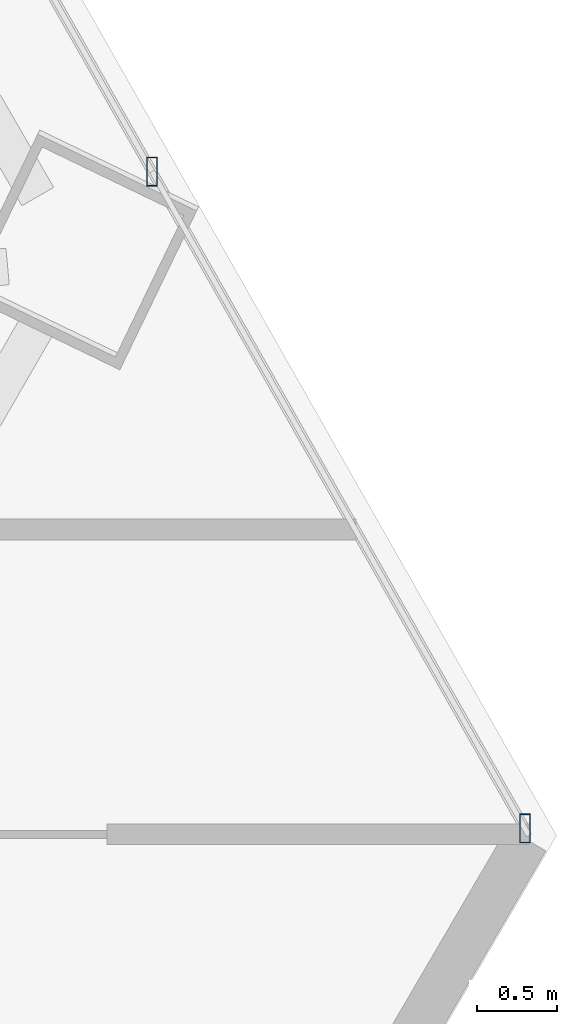
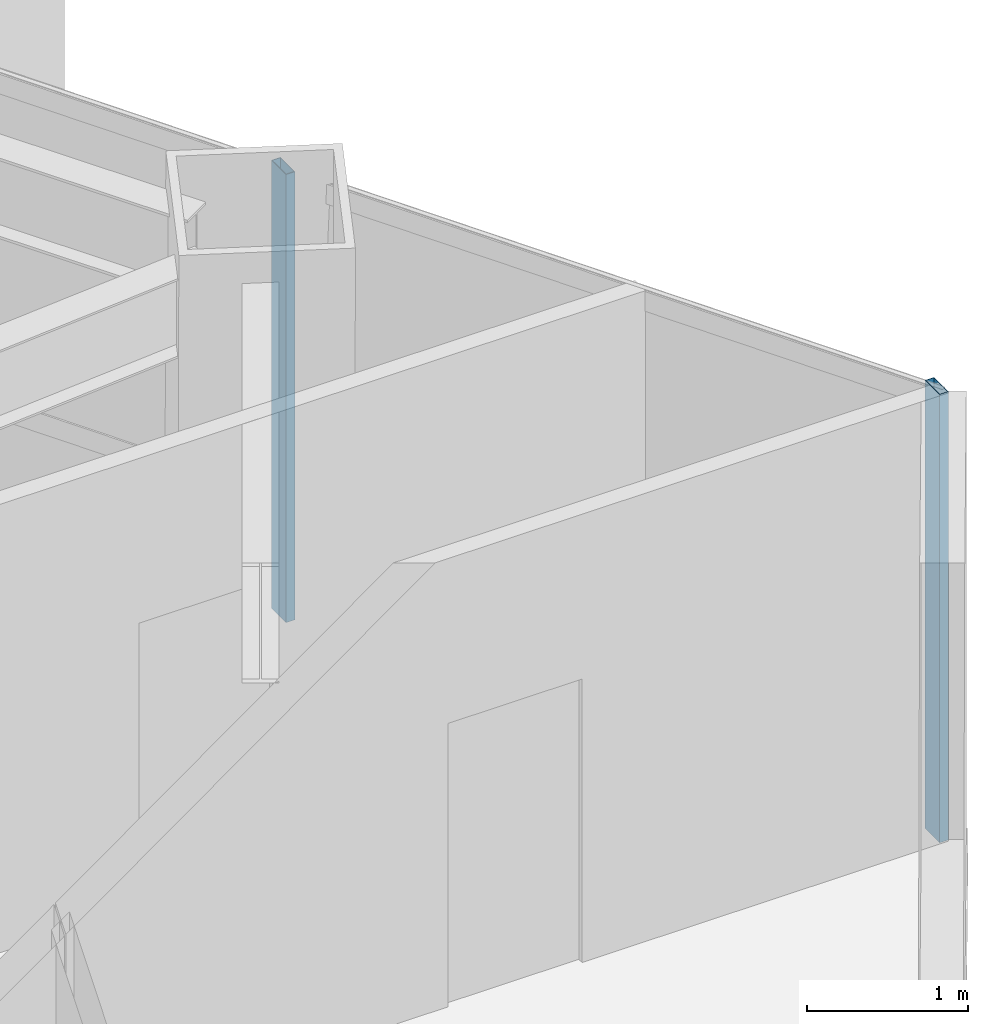
# One storey, part 18 of 35: 2 members, 1 element without a shape of its own.
"""IFC4 building model written with IfcOpenShell, lengths in metres."""

from ifc_helpers import new_model, si_unit, direction, frame, origin, origin_2d, place, context, subcontext, project, spatial, hollow_rectangle, extrude, source, transform, mapped, material, material_profile, profile_set, type_object, type_shapes, element, aggregate, save


model = new_model("IFC4")

# Units and contexts
model_context = context("Model", 3, precision=1e-05, world=origin(), true_north=direction((0.0, 1.0)))
body_context = subcontext(model_context, "Body", "Model", "MODEL_VIEW")
ifc_project = project(units=[si_unit("LENGTHUNIT", "METRE"), si_unit("AREAUNIT", "SQUARE_METRE"), si_unit("VOLUMEUNIT", "CUBIC_METRE"), si_unit("PLANEANGLEUNIT", "RADIAN"), si_unit("MASSUNIT", "GRAM", prefix="KILO")], contexts=[model_context])

# Site, building, storey
site_placement = place(None, origin())
site = spatial("IfcSite", under=ifc_project, at=site_placement, CompositionType="ELEMENT")
building_placement = place(site_placement, origin())
building = spatial("IfcBuilding", under=site, at=building_placement, Name="Caelisora Broadcast Tower", CompositionType="ELEMENT")
storey_placement = place(building_placement, frame((0.0, 0.0, 123.64990234375)))
storey = spatial("IfcBuildingStorey", under=building, at=storey_placement, Name="L32", CompositionType="ELEMENT", Elevation=123.64990234375)

# Curtain wall, members
ifc_material_1 = material(Name="Unitised Aluminium and Low-E Glass Curtain Wall", Category="glass")
curtain_wall_type = type_object("IfcCurtainWallType", Name="CW-Z2", PredefinedType="NOTDEFINED", material=ifc_material_1)
curtain_wall_placement = place(storey_placement, origin())
curtain_wall = element("IfcCurtainWall", 1, at=curtain_wall_placement, inside=storey, type_object=curtain_wall_type, Name="L32 curtain wall CW-Z2", PredefinedType="NOTDEFINED")
ifc_material_2 = material(Name="Aluminium 6063-T6 Anodised Terracotta Bronze", Category="aluminium")
ifc_material_profile = material_profile(ifc_material_2, hollow_rectangle(XDim=0.06494140625, YDim=0.179931640625, WallThickness=0.00341796875, at=origin_2d()), Name="Aluminium 6063-T6 Anodised Terracotta Bronze")
ifc_profile_set = profile_set([ifc_material_profile], Name="Aluminium 6063-T6 Anodised Terracotta Bronze")
member_type = type_object("IfcMemberType", Name="CWM-02", PredefinedType="MULLION", material=ifc_profile_set)
shared_shape = source(origin(), body_context, "Body", "SweptSolid", [
    extrude(hollow_rectangle(XDim=0.06494140625, YDim=0.179931640625, WallThickness=0.00341796875, at=origin_2d()), origin(), (0.0, 0.0, 1.0), 3.400146484375),
])
type_shapes(member_type, [shared_shape])
member_1_placement = place(storey_placement, frame((61.387451171875, 19.331787109375, 0.0), z_axis=(0.0, 0.0, 1.0), x_axis=(1.0, 0.0, 0.0)))
member_1 = element("IfcMember", 2, at=member_1_placement, type_object=member_type, Name="L32-CW-B03 mullion #2", PredefinedType="MULLION", context=body_context, shape_type="MappedRepresentation", body=[
    mapped(shared_shape, transform((0.0, 0.0, 0.0), scale=1.0)),
])
member_2_placement = place(storey_placement, frame((63.71240234375, 15.236572265625, 0.0), z_axis=(0.0, 0.0, 1.0), x_axis=(1.0, 0.0, 0.0)))
member_2 = element("IfcMember", 3, at=member_2_placement, type_object=member_type, Name="L32-CW-B03 mullion #3", PredefinedType="MULLION", context=body_context, shape_type="MappedRepresentation", body=[
    mapped(shared_shape, transform((0.0, 0.0, 0.0), scale=1.0)),
])
aggregate(curtain_wall, [member_1, member_2])

save(model, "model.ifc")
